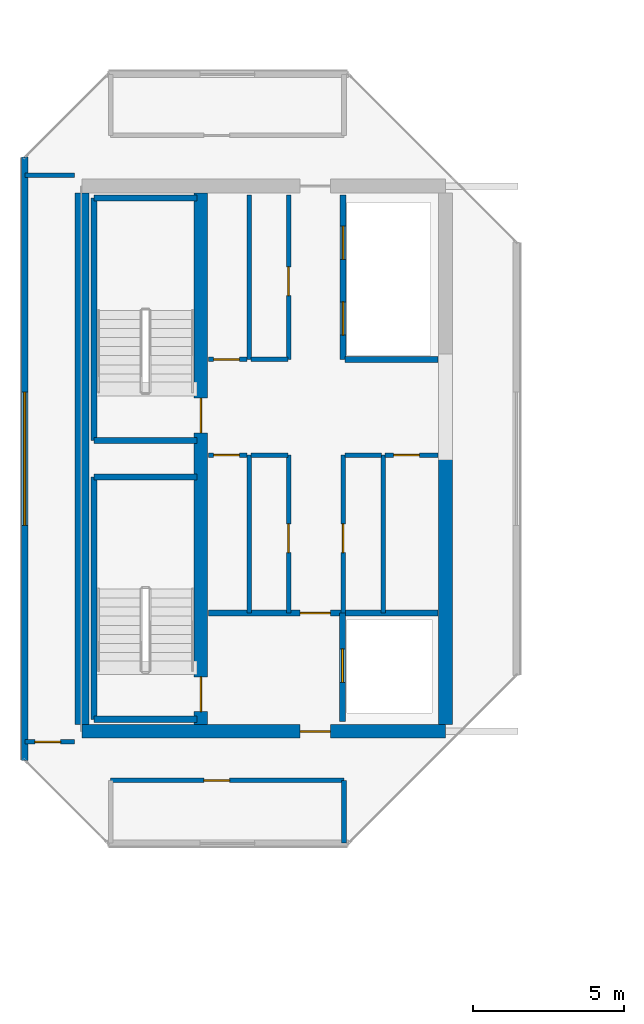
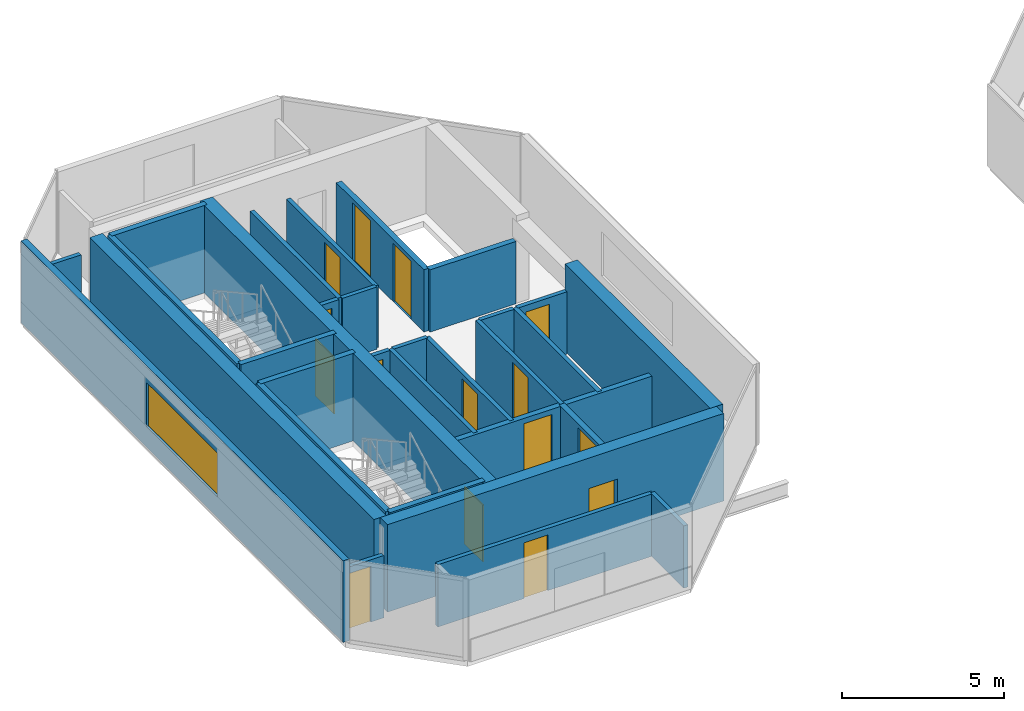
# One storey, part 21 of 29: 31 walls, 15 doors, 1 window, 16 openings.
"""IFC4 building model written with IfcOpenShell, lengths in metres."""

import ifcopenshell
import ifcopenshell.guid

model = None  # the IFC model being written
_history = None  # IfcOwnerHistory: only IFC2X3 demands one
_inside = {}  # id of a spatial element -> (the spatial element, [elements in it])
_under = {}  # id of a project, library or spatial element -> (it, [spatial elements below it])
_declared = {}  # id of a project -> (the project, [libraries it declares])
_typed = {}  # id of a type object -> (the type object, [elements of that type])
_made_of = {}  # id of a material, layer set ... -> (it, [elements and type objects made of it])


def new_model(schema):
    """Start an empty IFC model of exactly this schema.

    Asked for "IFC4X3", IfcOpenShell would pick the latest addendum, in which some entities
    have other attributes; the version numbers below select the first issue.
    IFC2X3 requires an IfcOwnerHistory on every rooted entity: one is made here for all.
    """
    global model, _history
    if schema == "IFC4X3":
        model = ifcopenshell.file(schema_version=(4, 3, 0, 0))
    else:
        model = ifcopenshell.file(schema=schema)
    _inside.clear()
    _under.clear()
    _declared.clear()
    _typed.clear()
    _made_of.clear()
    _history = None
    if model.schema == "IFC2X3":
        org = make("IfcOrganization", Name="unknown")
        user = make(
            "IfcPersonAndOrganization",
            ThePerson=make("IfcPerson", FamilyName="unknown"),
            TheOrganization=org,
        )
        app = make(
            "IfcApplication",
            ApplicationDeveloper=org,
            Version="unknown",
            ApplicationFullName="unknown",
            ApplicationIdentifier="unknown",
        )
        _history = make(
            "IfcOwnerHistory",
            OwningUser=user,
            OwningApplication=app,
            ChangeAction="ADDED",
            CreationDate=0,
        )
    return model


def make(cls, **values):
    """One entity of the class cls with the attributes given. An attribute that is None is left unset."""
    return model.create_entity(
        cls, **{name: value for name, value in values.items() if value is not None}
    )


def rooted(cls, **values):
    """An entity with a GlobalId (a new one), such as an element, a storey or a relation."""
    return make(cls, GlobalId=ifcopenshell.guid.new(), OwnerHistory=_history, **values)


def si_unit(unit_type, name, prefix=None):
    """IfcSIUnit, for example si_unit("LENGTHUNIT", "METRE", prefix="MILLI")."""
    return make("IfcSIUnit", UnitType=unit_type, Prefix=prefix, Name=name)


def assignment(units):
    """IfcUnitAssignment: the units of a project."""
    return None if units is None else make("IfcUnitAssignment", Units=units)


def point(xyz):
    """IfcCartesianPoint."""
    return None if xyz is None else make("IfcCartesianPoint", Coordinates=xyz)


def direction(xyz):
    """IfcDirection."""
    return None if xyz is None else make("IfcDirection", DirectionRatios=xyz)


def frame(location, z_axis=None, x_axis=None):
    """IfcAxis2Placement3D, a coordinate frame: its origin and axes. An axis left out is left unset."""
    return make(
        "IfcAxis2Placement3D",
        Location=point(location),
        Axis=direction(z_axis),
        RefDirection=direction(x_axis),
    )


def frame_2d(location, x_axis=None):
    """IfcAxis2Placement2D, a coordinate frame in the plane: its origin and x axis."""
    return make(
        "IfcAxis2Placement2D", Location=point(location), RefDirection=direction(x_axis)
    )


def origin():
    """The frame at (0, 0, 0) with its axes left unset."""
    return frame((0.0, 0.0, 0.0))


def place(relative_to, where):
    """IfcLocalPlacement: puts the frame where relative to a parent placement (None: the world)."""
    return make(
        "IfcLocalPlacement", PlacementRelTo=relative_to, RelativePlacement=where
    )


def context(
    kind, dimensions, precision=None, world=None, true_north=None, identifier=None
):
    """IfcGeometricRepresentationContext, for example the 3D "Model" context."""
    return make(
        "IfcGeometricRepresentationContext",
        ContextIdentifier=identifier,
        ContextType=kind,
        CoordinateSpaceDimension=dimensions,
        Precision=precision,
        WorldCoordinateSystem=world,
        TrueNorth=true_north,
    )


def subcontext(parent, identifier, kind, view, scale=None):
    """IfcGeometricRepresentationSubContext, for example "Body" below "Model"."""
    return make(
        "IfcGeometricRepresentationSubContext",
        ContextIdentifier=identifier,
        ContextType=kind,
        ParentContext=parent,
        TargetScale=scale,
        TargetView=view,
    )


def project(units=None, contexts=None):
    """IfcProject with its units and contexts."""
    return rooted(
        "IfcProject",
        Name="project",
        RepresentationContexts=contexts,
        UnitsInContext=assignment(units),
    )


def spatial(cls, under=None, at=None, **own):
    """A site, building, storey or space (cls), placed at a placement, below another one or the project."""
    s = rooted(cls, ObjectPlacement=at, **own)
    if under is not None:
        _under.setdefault(under.id(), (under, []))[1].append(s)
    return s


def profile(cls, at=None, kind="AREA", **sizes):
    """A parametric profile (cls). Its sizes go by their IFC names, for example OverallWidth=200.0."""
    return make(cls, ProfileType=kind, Position=at, **sizes)


def rectangle(**sizes):
    """IfcRectangleProfileDef."""
    return profile("IfcRectangleProfileDef", **sizes)


def extrude(swept, where, along, depth):
    """IfcExtrudedAreaSolid: the profile swept, set in the frame where, extruded along a direction by depth."""
    return make(
        "IfcExtrudedAreaSolid",
        SweptArea=swept,
        Position=where,
        ExtrudedDirection=direction(along),
        Depth=depth,
    )


def shape(context_of_items, identifier, shape_type, items):
    """IfcShapeRepresentation: the items that make up one representation, for example the "Body"."""
    return make(
        "IfcShapeRepresentation",
        ContextOfItems=context_of_items,
        RepresentationIdentifier=identifier,
        RepresentationType=shape_type,
        Items=items,
    )


def material(Name=None, Category=None):
    """IfcMaterial."""
    return make("IfcMaterial", Name=Name, Category=Category)


def layer(
    of_material, thickness, ventilated=None, Name=None, Category=None, Priority=None
):
    """IfcMaterialLayer: one layer of a wall or slab, of a material (None: an air gap)."""
    return make(
        "IfcMaterialLayer",
        Material=of_material,
        LayerThickness=thickness,
        IsVentilated=ventilated,
        Name=Name,
        Category=Category,
        Priority=Priority,
    )


def layer_set(layers, Name=None):
    """IfcMaterialLayerSet."""
    return make("IfcMaterialLayerSet", MaterialLayers=layers, LayerSetName=Name)


def made_of(thing, what):
    """Note that an element or type object is made of a material, layer set ...; save() writes the relation."""
    if what is not None:
        _made_of.setdefault(what.id(), (what, []))[1].append(thing)
    return thing


def type_object(cls, material=None, **own):
    """A type object (cls), such as IfcWallType, which elements share."""
    return made_of(rooted(cls, **own), material)


def element(
    cls,
    number,
    at=None,
    inside=None,
    cuts=None,
    type_object=None,
    material=None,
    context=None,
    identifier="Body",
    shape_type=None,
    held_by="IfcProductDefinitionShape",
    body=None,
    shapes=None,
    **own,
):
    """One element of the class cls, such as IfcWall. Its Tag is "e" and its number.

    at: its placement. inside: the storey or other place that contains it. cuts: it is an
    opening in that element (IfcRelVoidsElement). A single representation is given by context,
    identifier, shape_type and body (its items); several are given by shapes. held_by: the class
    of the entity that holds the representations. save() writes the other relations.
    """
    e = rooted(cls, Tag="e%d" % number, ObjectPlacement=at, **own)
    if body is not None:
        shapes = [shape(context, identifier, shape_type, body)]
    if shapes is not None:
        e.Representation = make(held_by, Representations=shapes)
    if inside is not None:
        _inside.setdefault(inside.id(), (inside, []))[1].append(e)
    if cuts is not None:
        rooted(
            "IfcRelVoidsElement", RelatingBuildingElement=cuts, RelatedOpeningElement=e
        )
    if type_object is not None:
        _typed.setdefault(type_object.id(), (type_object, []))[1].append(e)
    return made_of(e, material)


def fill(opening, filler):
    """IfcRelFillsElement: the door or window that sits in an opening."""
    return rooted(
        "IfcRelFillsElement",
        RelatingOpeningElement=opening,
        RelatedBuildingElement=filler,
    )


def aggregate(whole, parts):
    """IfcRelAggregates: a whole, such as a stair, and the parts it consists of."""
    return rooted("IfcRelAggregates", RelatingObject=whole, RelatedObjects=parts)


def save(model, path):
    """Write the relations noted so far, then the file.

    IfcRelAggregates (storeys below a building ...), IfcRelContainedInSpatialStructure (elements
    in a storey), IfcRelDefinesByType, IfcRelAssociatesMaterial and IfcRelDeclares: one each for
    every whole, place, type object, material and project.
    """
    for whole, parts in _under.values():
        aggregate(whole, parts)
    for where, things in _inside.values():
        rooted(
            "IfcRelContainedInSpatialStructure",
            RelatedElements=things,
            RelatingStructure=where,
        )
    for kind, things in _typed.values():
        rooted("IfcRelDefinesByType", RelatedObjects=things, RelatingType=kind)
    for what, things in _made_of.values():
        rooted("IfcRelAssociatesMaterial", RelatedObjects=things, RelatingMaterial=what)
    for by, libraries in _declared.values():
        rooted("IfcRelDeclares", RelatingContext=by, RelatedDefinitions=libraries)
    model.write(path)


model = new_model("IFC4")

# Units and contexts
model_context = context("Model", 3, precision=1e-05, world=origin(), true_north=direction((0.0, 1.0)))
body_context = subcontext(model_context, "Body", "Model", "MODEL_VIEW")
ifc_project = project(units=[si_unit("LENGTHUNIT", "METRE"), si_unit("AREAUNIT", "SQUARE_METRE"), si_unit("VOLUMEUNIT", "CUBIC_METRE"), si_unit("PLANEANGLEUNIT", "RADIAN"), si_unit("MASSUNIT", "GRAM", prefix="KILO")], contexts=[model_context])

# Site, building, storey
site_placement = place(None, origin())
site = spatial("IfcSite", under=ifc_project, at=site_placement, CompositionType="ELEMENT")
building_placement = place(site_placement, origin())
building = spatial("IfcBuilding", under=site, at=building_placement, Name="Tanjung Sevakor Pilgrim Tower", CompositionType="ELEMENT")
storey_placement = place(building_placement, frame((0.0, 0.0, 235.949951171875)))
storey = spatial("IfcBuildingStorey", under=building, at=storey_placement, Name="L66", CompositionType="ELEMENT", Elevation=235.949951171875)

# Wall, opening, door
ifc_material_1 = material(Name="Concrete C60/75", Category="concrete")
ifc_layer_1 = layer(ifc_material_1, 0.449951171875)
ifc_layer_set_1 = layer_set([ifc_layer_1], Name="WALL-CW-450")
wall_type_1 = type_object("IfcWallType", Name="WALL-CW-450", PredefinedType="SHEAR", material=ifc_layer_set_1)
wall_1_placement = place(storey_placement, frame((24.0, 24.60009765625, 0.0), z_axis=(0.0, 0.0, 1.0), x_axis=(1.0, 0.0, 0.0)))
wall_1 = element("IfcWall", 1, at=wall_1_placement, inside=storey, type_object=wall_type_1, Name="L66 W Core South Shear Wall", PredefinedType="SHEAR", context=body_context, shape_type="SweptSolid", body=[
    extrude(rectangle(XDim=12.0, YDim=0.449951171875, at=frame_2d((6.0, 0.0))), origin(), (0.0, 0.0, 1.0), 3.300048828125),
])
opening_1_placement = place(wall_1_placement, frame((7.199951171875, 0.0, 0.0)))
opening_1 = element("IfcOpeningElement", 2, at=opening_1_placement, cuts=wall_1, Name="Opening ID-FD1", PredefinedType="OPENING", context=body_context, shape_type="SweptSolid", body=[
    extrude(rectangle(XDim=1.0, YDim=2.14990234375, at=frame_2d((0.5, 1.074951171875))), frame((0.0, 0.23486328125, 0.0), z_axis=(0.0, -1.0, 0.0), x_axis=(1.0, 0.0, 0.0)), (0.0, 0.0, 1.0), 0.469970703125),
])
ifc_material_2 = material(Name="Fire-Rated Steel S355J2", Category="steel")
door_type_1 = type_object("IfcDoorType", Name="DT-FIRE-1000", OperationType="NOTDEFINED", PredefinedType="DOOR", material=ifc_material_2)
door_1_placement = place(opening_1_placement, origin())
door_1 = element("IfcDoor", 3, at=door_1_placement, inside=storey, type_object=door_type_1, Name="L66 West Core South Vestibule Fire Door", OperationType="SINGLE_SWING_LEFT", OverallHeight=2.14990234375, OverallWidth=1.0, PredefinedType="DOOR", context=body_context, shape_type="SweptSolid", body=[
    extrude(rectangle(XDim=1.0, YDim=2.14990234375, at=frame_2d((0.5, 1.074951171875))), frame((0.0, 0.02490234375, 0.0), z_axis=(0.0, -1.0, 0.0), x_axis=(1.0, 0.0, 0.0)), (0.0, 0.0, 1.0), 0.050048828125),
])
fill(opening_1, door_1)

# Walls
wall_2_placement = place(storey_placement, frame((24.0, 24.824951171875, 0.0), z_axis=(0.0, 0.0, 1.0), x_axis=(0.0, 1.0, 0.0)))
element("IfcWall", 4, at=wall_2_placement, inside=storey, type_object=wall_type_1, Name="L66 W Core Outer Shear Wall", PredefinedType="SHEAR", context=body_context, shape_type="SweptSolid", body=[
    extrude(rectangle(XDim=17.550048828125, YDim=0.449951171875, at=frame_2d((8.77490234375, 0.0))), origin(), (0.0, 0.0, 1.0), 3.300048828125),
])
wall_3_placement = place(storey_placement, frame((36.0, 24.824951171875, 0.0), z_axis=(0.0, 0.0, 1.0), x_axis=(0.0, 1.0, 0.0)))
element("IfcWall", 5, at=wall_3_placement, inside=storey, type_object=wall_type_1, Name="L66 W Core Inner Shear Wall South", PredefinedType="SHEAR", context=body_context, shape_type="SweptSolid", body=[
    extrude(rectangle(XDim=8.97509765625, YDim=0.449951171875, at=frame_2d((4.487548828125, 0.0))), origin(), (0.0, 0.0, 1.0), 3.300048828125),
])

# Wall, openings, doors
wall_4_placement = place(storey_placement, frame((27.925048828125, 24.824951171875, 0.0), z_axis=(0.0, 0.0, 1.0), x_axis=(0.0, 1.0, 0.0)))
wall_4 = element("IfcWall", 6, at=wall_4_placement, inside=storey, type_object=wall_type_1, Name="L66 W Core Stair Spine Wall", PredefinedType="SHEAR", context=body_context, shape_type="SweptSolid", body=[
    extrude(rectangle(XDim=17.550048828125, YDim=0.449951171875, at=frame_2d((8.77490234375, 0.0))), origin(), (0.0, 0.0, 1.0), 3.300048828125),
])
opening_2_placement = place(wall_4_placement, frame((0.425048828125, 0.0, 0.0)))
opening_2 = element("IfcOpeningElement", 7, at=opening_2_placement, cuts=wall_4, Name="Opening ID-ST1", PredefinedType="OPENING", context=body_context, shape_type="SweptSolid", body=[
    extrude(rectangle(XDim=1.14990234375, YDim=2.14990234375, at=frame_2d((0.574951171875, 1.074951171875))), frame((0.0, 0.23486328125, 0.0), z_axis=(0.0, -1.0, 0.0), x_axis=(1.0, 0.0, 0.0)), (0.0, 0.0, 1.0), 0.469970703125),
])
opening_3_placement = place(wall_4_placement, frame((9.625, 0.0, 0.0)))
opening_3 = element("IfcOpeningElement", 8, at=opening_3_placement, cuts=wall_4, Name="Opening ID-ST1", PredefinedType="OPENING", context=body_context, shape_type="SweptSolid", body=[
    extrude(rectangle(XDim=1.14990234375, YDim=2.14990234375, at=frame_2d((0.574951171875, 1.074951171875))), frame((0.0, 0.23486328125, 0.0), z_axis=(0.0, -1.0, 0.0), x_axis=(1.0, 0.0, 0.0)), (0.0, 0.0, 1.0), 0.469970703125),
])
ifc_material_3 = material(Name="Fire-Rated Steel S355J2", Category="steel")
door_type_2 = type_object("IfcDoorType", Name="DT-FIRE-1150", OperationType="NOTDEFINED", PredefinedType="DOOR", material=ifc_material_3)
door_2_placement = place(opening_2_placement, origin())
door_2 = element("IfcDoor", 9, at=door_2_placement, inside=storey, type_object=door_type_2, Name="L66 TS-W1 Stair Fire Door", OperationType="SINGLE_SWING_LEFT", OverallHeight=2.14990234375, OverallWidth=1.14990234375, PredefinedType="DOOR", context=body_context, shape_type="SweptSolid", body=[
    extrude(rectangle(XDim=1.14990234375, YDim=2.14990234375, at=frame_2d((0.574951171875, 1.074951171875))), frame((0.0, 0.02490234375, 0.0), z_axis=(0.0, -1.0, 0.0), x_axis=(1.0, 0.0, 0.0)), (0.0, 0.0, 1.0), 0.050048828125),
])
fill(opening_2, door_2)
door_3_placement = place(opening_3_placement, origin())
door_3 = element("IfcDoor", 10, at=door_3_placement, inside=storey, type_object=door_type_2, Name="L66 TS-W2 Stair Fire Door", OperationType="SINGLE_SWING_RIGHT", OverallHeight=2.14990234375, OverallWidth=1.14990234375, PredefinedType="DOOR", context=body_context, shape_type="SweptSolid", body=[
    extrude(rectangle(XDim=1.14990234375, YDim=2.14990234375, at=frame_2d((0.574951171875, 1.074951171875))), frame((0.0, 0.02490234375, 0.0), z_axis=(0.0, -1.0, 0.0), x_axis=(1.0, 0.0, 0.0)), (0.0, 0.0, 1.0), 0.050048828125),
])
fill(opening_3, door_3)

# Wall
ifc_material_4 = material(Name="Concrete C40/50", Category="concrete")
ifc_layer_2 = layer(ifc_material_4, 0.14990234375)
ifc_layer_set_2 = layer_set([ifc_layer_2], Name="WT-COMP-150")
wall_type_2 = type_object("IfcWallType", Name="WT-COMP-150", PredefinedType="SOLIDWALL", material=ifc_layer_set_2)
wall_5_placement = place(storey_placement, frame((29.52001953125, 28.5, 0.0), z_axis=(0.0, 0.0, 1.0), x_axis=(0.0, 1.0, 0.0)))
element("IfcWall", 11, at=wall_5_placement, inside=storey, type_object=wall_type_2, Name="L66 Partition IW-L66-003", PredefinedType="SOLIDWALL", context=body_context, shape_type="SweptSolid", body=[
    extrude(rectangle(XDim=5.219970703125, YDim=0.14990234375, at=frame_2d((2.60986328125, 0.0))), origin(), (0.0, 0.0, 1.0), 2.35009765625),
])

# Wall, opening, door
wall_6_placement = place(storey_placement, frame((28.169921875, 33.719970703125, 0.0), z_axis=(0.0, 0.0, 1.0), x_axis=(1.0, 0.0, 0.0)))
wall_6 = element("IfcWall", 12, at=wall_6_placement, inside=storey, type_object=wall_type_2, Name="L66 Partition IW-L66-004", PredefinedType="SOLIDWALL", context=body_context, shape_type="SweptSolid", body=[
    extrude(rectangle(XDim=1.280029296875, YDim=0.14990234375, at=frame_2d((0.64013671875, 0.0))), origin(), (0.0, 0.0, 1.0), 2.35009765625),
])
opening_4_placement = place(wall_6_placement, frame((0.179931640625, 0.0, 0.0)))
opening_4 = element("IfcOpeningElement", 13, at=opening_4_placement, cuts=wall_6, Name="Opening ID-FD3", PredefinedType="OPENING", context=body_context, shape_type="SweptSolid", body=[
    extrude(rectangle(XDim=0.85009765625, YDim=2.10009765625, at=frame_2d((0.425048828125, 1.050048828125))), frame((0.0, 0.0849609375, 0.0), z_axis=(0.0, -1.0, 0.0), x_axis=(1.0, 0.0, 0.0)), (0.0, 0.0, 1.0), 0.169921875),
])
ifc_material_5 = material(Name="Fire-Rated Timber", Category="wood")
door_type_3 = type_object("IfcDoorType", Name="DT-FIRE-850", OperationType="NOTDEFINED", PredefinedType="DOOR", material=ifc_material_5)
door_4_placement = place(opening_4_placement, origin())
door_4 = element("IfcDoor", 14, at=door_4_placement, inside=storey, type_object=door_type_3, Name="L66 Cleaner Store Door", OperationType="SINGLE_SWING_RIGHT", OverallHeight=2.10009765625, OverallWidth=0.85009765625, PredefinedType="DOOR", context=body_context, shape_type="SweptSolid", body=[
    extrude(rectangle(XDim=0.85009765625, YDim=2.10009765625, at=frame_2d((0.425048828125, 1.050048828125))), frame((0.0, 0.02490234375, 0.0), z_axis=(0.0, -1.0, 0.0), x_axis=(1.0, 0.0, 0.0)), (0.0, 0.0, 1.0), 0.050048828125),
])
fill(opening_4, door_4)

# Wall
wall_7_placement = place(storey_placement, frame((29.580078125, 33.719970703125, 0.0), z_axis=(0.0, 0.0, 1.0), x_axis=(1.0, 0.0, 0.0)))
element("IfcWall", 15, at=wall_7_placement, inside=storey, type_object=wall_type_2, Name="L66 Partition IW-L66-005", PredefinedType="SOLIDWALL", context=body_context, shape_type="SweptSolid", body=[
    extrude(rectangle(XDim=1.219970703125, YDim=0.14990234375, at=frame_2d((0.60986328125, 0.0))), origin(), (0.0, 0.0, 1.0), 2.35009765625),
])

# Wall, opening, door
wall_8_placement = place(storey_placement, frame((30.820068359375, 28.5, 0.0), z_axis=(0.0, 0.0, 1.0), x_axis=(0.0, 1.0, 0.0)))
wall_8 = element("IfcWall", 16, at=wall_8_placement, inside=storey, type_object=wall_type_2, Name="L66 Partition IW-L66-006", PredefinedType="SOLIDWALL", context=body_context, shape_type="SweptSolid", body=[
    extrude(rectangle(XDim=5.219970703125, YDim=0.14990234375, at=frame_2d((2.60986328125, 0.0))), origin(), (0.0, 0.0, 1.0), 2.35009765625),
])
opening_5_placement = place(wall_8_placement, frame((2.0, 0.0, 0.0)))
opening_5 = element("IfcOpeningElement", 17, at=opening_5_placement, cuts=wall_8, Name="Opening ID-FD2", PredefinedType="OPENING", context=body_context, shape_type="SweptSolid", body=[
    extrude(rectangle(XDim=0.949951171875, YDim=2.14990234375, at=frame_2d((0.47509765625, 1.074951171875))), frame((0.0, 0.0849609375, 0.0), z_axis=(0.0, -1.0, 0.0), x_axis=(1.0, 0.0, 0.0)), (0.0, 0.0, 1.0), 0.169921875),
])
ifc_material_6 = material(Name="Fire-Rated Timber", Category="wood")
door_type_4 = type_object("IfcDoorType", Name="DT-FIRE-950", OperationType="NOTDEFINED", PredefinedType="DOOR", material=ifc_material_6)
door_5_placement = place(opening_5_placement, origin())
door_5 = element("IfcDoor", 18, at=door_5_placement, inside=storey, type_object=door_type_4, Name="L66 Housekeeping Pantry Door", OperationType="SINGLE_SWING_LEFT", OverallHeight=2.14990234375, OverallWidth=0.949951171875, PredefinedType="DOOR", context=body_context, shape_type="SweptSolid", body=[
    extrude(rectangle(XDim=0.949951171875, YDim=2.14990234375, at=frame_2d((0.47509765625, 1.074951171875))), frame((0.0, 0.02490234375, 0.0), z_axis=(0.0, -1.0, 0.0), x_axis=(1.0, 0.0, 0.0)), (0.0, 0.0, 1.0), 0.050048828125),
])
fill(opening_5, door_5)

# Walls
wall_9_placement = place(storey_placement, frame((33.949951171875, 28.5, 0.0), z_axis=(0.0, 0.0, 1.0), x_axis=(0.0, 1.0, 0.0)))
element("IfcWall", 19, at=wall_9_placement, inside=storey, type_object=wall_type_2, Name="L66 Partition IW-L66-007", PredefinedType="SOLIDWALL", context=body_context, shape_type="SweptSolid", body=[
    extrude(rectangle(XDim=5.219970703125, YDim=0.14990234375, at=frame_2d((2.60986328125, 0.0))), origin(), (0.0, 0.0, 1.0), 2.35009765625),
])
wall_10_placement = place(storey_placement, frame((32.679931640625, 33.719970703125, 0.0), z_axis=(0.0, 0.0, 1.0), x_axis=(1.0, 0.0, 0.0)))
element("IfcWall", 20, at=wall_10_placement, inside=storey, type_object=wall_type_2, Name="L66 Partition IW-L66-008", PredefinedType="SOLIDWALL", context=body_context, shape_type="SweptSolid", body=[
    extrude(rectangle(XDim=1.2099609375, YDim=0.14990234375, at=frame_2d((0.60498046875, 0.0))), origin(), (0.0, 0.0, 1.0), 2.35009765625),
])

# Wall, opening, door
wall_11_placement = place(storey_placement, frame((34.010009765625, 33.719970703125, 0.0), z_axis=(0.0, 0.0, 1.0), x_axis=(1.0, 0.0, 0.0)))
wall_11 = element("IfcWall", 21, at=wall_11_placement, inside=storey, type_object=wall_type_2, Name="L66 Partition IW-L66-009", PredefinedType="SOLIDWALL", context=body_context, shape_type="SweptSolid", body=[
    extrude(rectangle(XDim=1.744873046875, YDim=0.14990234375, at=frame_2d((0.87255859375, 0.0))), origin(), (0.0, 0.0, 1.0), 2.35009765625),
])
opening_6_placement = place(wall_11_placement, frame((0.280029296875, 0.0, 0.0)))
opening_6 = element("IfcOpeningElement", 22, at=opening_6_placement, cuts=wall_11, Name="Opening ID-FD3", PredefinedType="OPENING", context=body_context, shape_type="SweptSolid", body=[
    extrude(rectangle(XDim=0.85009765625, YDim=2.10009765625, at=frame_2d((0.425048828125, 1.050048828125))), frame((0.0, 0.0849609375, 0.0), z_axis=(0.0, -1.0, 0.0), x_axis=(1.0, 0.0, 0.0)), (0.0, 0.0, 1.0), 0.169921875),
])
door_6_placement = place(opening_6_placement, origin())
door_6 = element("IfcDoor", 23, at=door_6_placement, inside=storey, type_object=door_type_3, Name="L66 Service Store Door", OperationType="SINGLE_SWING_RIGHT", OverallHeight=2.10009765625, OverallWidth=0.85009765625, PredefinedType="DOOR", context=body_context, shape_type="SweptSolid", body=[
    extrude(rectangle(XDim=0.85009765625, YDim=2.10009765625, at=frame_2d((0.425048828125, 1.050048828125))), frame((0.0, 0.02490234375, 0.0), z_axis=(0.0, -1.0, 0.0), x_axis=(1.0, 0.0, 0.0)), (0.0, 0.0, 1.0), 0.050048828125),
])
fill(opening_6, door_6)

wall_12_placement = place(storey_placement, frame((32.6201171875, 28.5, 0.0), z_axis=(0.0, 0.0, 1.0), x_axis=(0.0, 1.0, 0.0)))
wall_12 = element("IfcWall", 24, at=wall_12_placement, inside=storey, type_object=wall_type_2, Name="L66 Partition IW-L66-010", PredefinedType="SOLIDWALL", context=body_context, shape_type="SweptSolid", body=[
    extrude(rectangle(XDim=5.219970703125, YDim=0.14990234375, at=frame_2d((2.60986328125, 0.0))), origin(), (0.0, 0.0, 1.0), 2.35009765625),
])
opening_7_placement = place(wall_12_placement, frame((2.0, 0.0, 0.0)))
opening_7 = element("IfcOpeningElement", 25, at=opening_7_placement, cuts=wall_12, Name="Opening ID-FD2", PredefinedType="OPENING", context=body_context, shape_type="SweptSolid", body=[
    extrude(rectangle(XDim=0.949951171875, YDim=2.14990234375, at=frame_2d((0.47509765625, 1.074951171875))), frame((0.0, 0.0849609375, 0.0), z_axis=(0.0, -1.0, 0.0), x_axis=(1.0, 0.0, 0.0)), (0.0, 0.0, 1.0), 0.169921875),
])
door_7_placement = place(opening_7_placement, origin())
door_7 = element("IfcDoor", 26, at=door_7_placement, inside=storey, type_object=door_type_4, Name="L66 Accessible WC Door", OperationType="SINGLE_SWING_LEFT", OverallHeight=2.14990234375, OverallWidth=0.949951171875, PredefinedType="DOOR", context=body_context, shape_type="SweptSolid", body=[
    extrude(rectangle(XDim=0.949951171875, YDim=2.14990234375, at=frame_2d((0.47509765625, 1.074951171875))), frame((0.0, 0.02490234375, 0.0), z_axis=(0.0, -1.0, 0.0), x_axis=(1.0, 0.0, 0.0)), (0.0, 0.0, 1.0), 0.050048828125),
])
fill(opening_7, door_7)

# Wall
wall_13_placement = place(storey_placement, frame((29.52001953125, 36.8798828125, 0.0), z_axis=(0.0, 0.0, 1.0), x_axis=(0.0, 1.0, 0.0)))
element("IfcWall", 27, at=wall_13_placement, inside=storey, type_object=wall_type_2, Name="L66 Partition IW-L66-011", PredefinedType="SOLIDWALL", context=body_context, shape_type="SweptSolid", body=[
    extrude(rectangle(XDim=5.420166015625, YDim=0.14990234375, at=frame_2d((2.7099609375, 0.0))), origin(), (0.0, 0.0, 1.0), 2.35009765625),
])

# Wall, opening, door
wall_14_placement = place(storey_placement, frame((28.169921875, 36.8798828125, 0.0), z_axis=(0.0, 0.0, 1.0), x_axis=(1.0, 0.0, 0.0)))
wall_14 = element("IfcWall", 28, at=wall_14_placement, inside=storey, type_object=wall_type_2, Name="L66 Partition IW-L66-012", PredefinedType="SOLIDWALL", context=body_context, shape_type="SweptSolid", body=[
    extrude(rectangle(XDim=1.280029296875, YDim=0.14990234375, at=frame_2d((0.64013671875, 0.0))), origin(), (0.0, 0.0, 1.0), 2.35009765625),
])
opening_8_placement = place(wall_14_placement, frame((0.179931640625, 0.0, 0.0)))
opening_8 = element("IfcOpeningElement", 29, at=opening_8_placement, cuts=wall_14, Name="Opening ID-FD3", PredefinedType="OPENING", context=body_context, shape_type="SweptSolid", body=[
    extrude(rectangle(XDim=0.85009765625, YDim=2.10009765625, at=frame_2d((0.425048828125, 1.050048828125))), frame((0.0, 0.0849609375, 0.0), z_axis=(0.0, -1.0, 0.0), x_axis=(1.0, 0.0, 0.0)), (0.0, 0.0, 1.0), 0.169921875),
])
door_8_placement = place(opening_8_placement, origin())
door_8 = element("IfcDoor", 30, at=door_8_placement, inside=storey, type_object=door_type_3, Name="L66 Service Store Door", OperationType="SINGLE_SWING_RIGHT", OverallHeight=2.10009765625, OverallWidth=0.85009765625, PredefinedType="DOOR", context=body_context, shape_type="SweptSolid", body=[
    extrude(rectangle(XDim=0.85009765625, YDim=2.10009765625, at=frame_2d((0.425048828125, 1.050048828125))), frame((0.0, 0.02490234375, 0.0), z_axis=(0.0, -1.0, 0.0), x_axis=(1.0, 0.0, 0.0)), (0.0, 0.0, 1.0), 0.050048828125),
])
fill(opening_8, door_8)

# Wall
wall_15_placement = place(storey_placement, frame((29.580078125, 36.8798828125, 0.0), z_axis=(0.0, 0.0, 1.0), x_axis=(1.0, 0.0, 0.0)))
element("IfcWall", 31, at=wall_15_placement, inside=storey, type_object=wall_type_2, Name="L66 Partition IW-L66-013", PredefinedType="SOLIDWALL", context=body_context, shape_type="SweptSolid", body=[
    extrude(rectangle(XDim=1.219970703125, YDim=0.14990234375, at=frame_2d((0.60986328125, 0.0))), origin(), (0.0, 0.0, 1.0), 2.35009765625),
])

# Wall, opening, door
wall_16_placement = place(storey_placement, frame((30.820068359375, 36.8798828125, 0.0), z_axis=(0.0, 0.0, 1.0), x_axis=(0.0, 1.0, 0.0)))
wall_16 = element("IfcWall", 32, at=wall_16_placement, inside=storey, type_object=wall_type_2, Name="L66 Partition IW-L66-014", PredefinedType="SOLIDWALL", context=body_context, shape_type="SweptSolid", body=[
    extrude(rectangle(XDim=5.420166015625, YDim=0.14990234375, at=frame_2d((2.7099609375, 0.0))), origin(), (0.0, 0.0, 1.0), 2.35009765625),
])
opening_9_placement = place(wall_16_placement, frame((2.10009765625, 0.0, 0.0)))
opening_9 = element("IfcOpeningElement", 33, at=opening_9_placement, cuts=wall_16, Name="Opening ID-FD2", PredefinedType="OPENING", context=body_context, shape_type="SweptSolid", body=[
    extrude(rectangle(XDim=0.949951171875, YDim=2.14990234375, at=frame_2d((0.47509765625, 1.074951171875))), frame((0.0, 0.0849609375, 0.0), z_axis=(0.0, -1.0, 0.0), x_axis=(1.0, 0.0, 0.0)), (0.0, 0.0, 1.0), 0.169921875),
])
door_9_placement = place(opening_9_placement, origin())
door_9 = element("IfcDoor", 34, at=door_9_placement, inside=storey, type_object=door_type_4, Name="L66 Core Reading Room Door", OperationType="SINGLE_SWING_LEFT", OverallHeight=2.14990234375, OverallWidth=0.949951171875, PredefinedType="DOOR", context=body_context, shape_type="SweptSolid", body=[
    extrude(rectangle(XDim=0.949951171875, YDim=2.14990234375, at=frame_2d((0.47509765625, 1.074951171875))), frame((0.0, 0.02490234375, 0.0), z_axis=(0.0, -1.0, 0.0), x_axis=(1.0, 0.0, 0.0)), (0.0, 0.0, 1.0), 0.050048828125),
])
fill(opening_9, door_9)

wall_17_placement = place(storey_placement, frame((24.949951171875, 22.97998046875, 0.0), z_axis=(0.0, 0.0, 1.0), x_axis=(1.0, 0.0, 0.0)))
wall_17 = element("IfcWall", 35, at=wall_17_placement, inside=storey, type_object=wall_type_2, Name="L66 Partition IW-L66-033", PredefinedType="SOLIDWALL", context=body_context, shape_type="SweptSolid", body=[
    extrude(rectangle(XDim=7.699951171875, YDim=0.14990234375, at=frame_2d((3.85009765625, 0.0))), origin(), (0.0, 0.0, 1.0), 2.35009765625),
])
opening_10_placement = place(wall_17_placement, frame((3.074951171875, 0.0, 0.0)))
opening_10 = element("IfcOpeningElement", 36, at=opening_10_placement, cuts=wall_17, Name="Opening ID-WC1", PredefinedType="OPENING", context=body_context, shape_type="SweptSolid", body=[
    extrude(rectangle(XDim=0.85009765625, YDim=2.10009765625, at=frame_2d((0.425048828125, 1.050048828125))), frame((0.0, 0.0849609375, 0.0), z_axis=(0.0, -1.0, 0.0), x_axis=(1.0, 0.0, 0.0)), (0.0, 0.0, 1.0), 0.169921875),
])
ifc_material_7 = material(Name="Moisture-Resistant Timber", Category="wood")
door_type_5 = type_object("IfcDoorType", Name="DT-INT-850", OperationType="NOTDEFINED", PredefinedType="DOOR", material=ifc_material_7)
door_10_placement = place(opening_10_placement, origin())
door_10 = element("IfcDoor", 37, at=door_10_placement, inside=storey, type_object=door_type_5, Name="L66 West Peak Meditation Door", OperationType="SINGLE_SWING_RIGHT", OverallHeight=2.10009765625, OverallWidth=0.85009765625, PredefinedType="DOOR", context=body_context, shape_type="SweptSolid", body=[
    extrude(rectangle(XDim=0.85009765625, YDim=2.10009765625, at=frame_2d((0.425048828125, 1.050048828125))), frame((0.0, 0.02490234375, 0.0), z_axis=(0.0, -1.0, 0.0), x_axis=(1.0, 0.0, 0.0)), (0.0, 0.0, 1.0), 0.050048828125),
])
fill(opening_10, door_10)

# Wall
wall_18_placement = place(storey_placement, frame((32.64990234375, 20.919921875, 0.0), z_axis=(0.0, 0.0, 1.0), x_axis=(0.0, 1.0, 0.0)))
element("IfcWall", 38, at=wall_18_placement, inside=storey, type_object=wall_type_2, Name="L66 Partition IW-L66-035", PredefinedType="SOLIDWALL", context=body_context, shape_type="SweptSolid", body=[
    extrude(rectangle(XDim=2.06005859375, YDim=0.14990234375, at=frame_2d((1.030029296875, 0.0))), origin(), (0.0, 0.0, 1.0), 2.35009765625),
])

# Wall, opening, door
wall_19_placement = place(storey_placement, frame((22.1201171875, 24.25, 0.0), z_axis=(0.0, 0.0, 1.0), x_axis=(1.0, 0.0, 0.0)))
wall_19 = element("IfcWall", 39, at=wall_19_placement, inside=storey, type_object=wall_type_2, Name="L66 Partition IW-L66-036", PredefinedType="SOLIDWALL", context=body_context, shape_type="SweptSolid", body=[
    extrude(rectangle(XDim=1.639892578125, YDim=0.14990234375, at=frame_2d((0.81982421875, 0.0))), origin(), (0.0, 0.0, 1.0), 2.35009765625),
])
opening_11_placement = place(wall_19_placement, frame((0.324951171875, 0.0, 0.0)))
opening_11 = element("IfcOpeningElement", 40, at=opening_11_placement, cuts=wall_19, Name="Opening ID-WC1", PredefinedType="OPENING", context=body_context, shape_type="SweptSolid", body=[
    extrude(rectangle(XDim=0.85009765625, YDim=2.10009765625, at=frame_2d((0.425048828125, 1.050048828125))), frame((0.0, 0.0849609375, 0.0), z_axis=(0.0, -1.0, 0.0), x_axis=(1.0, 0.0, 0.0)), (0.0, 0.0, 1.0), 0.169921875),
])
door_11_placement = place(opening_11_placement, origin())
door_11 = element("IfcDoor", 41, at=door_11_placement, inside=storey, type_object=door_type_5, Name="L66 West Peak Sky Lounge Door", OperationType="SINGLE_SWING_LEFT", OverallHeight=2.10009765625, OverallWidth=0.85009765625, PredefinedType="DOOR", context=body_context, shape_type="SweptSolid", body=[
    extrude(rectangle(XDim=0.85009765625, YDim=2.10009765625, at=frame_2d((0.425048828125, 1.050048828125))), frame((0.0, 0.02490234375, 0.0), z_axis=(0.0, -1.0, 0.0), x_axis=(1.0, 0.0, 0.0)), (0.0, 0.0, 1.0), 0.050048828125),
])
fill(opening_11, door_11)

# Wall
wall_20_placement = place(storey_placement, frame((22.1201171875, 42.949951171875, 0.0), z_axis=(0.0, 0.0, 1.0), x_axis=(1.0, 0.0, 0.0)))
element("IfcWall", 42, at=wall_20_placement, inside=storey, type_object=wall_type_2, Name="L66 Partition IW-L66-037", PredefinedType="SOLIDWALL", context=body_context, shape_type="SweptSolid", body=[
    extrude(rectangle(XDim=1.639892578125, YDim=0.14990234375, at=frame_2d((0.81982421875, 0.0))), origin(), (0.0, 0.0, 1.0), 2.35009765625),
])

# Wall, opening, window
ifc_material_8 = material(Name="Precast concrete C45/55", Category="concrete")
ifc_layer_3 = layer(ifc_material_8, 0.219970703125)
ifc_layer_set_3 = layer_set([ifc_layer_3], Name="WT-EW-STN4")
wall_type_3 = type_object("IfcWallType", Name="WT-EW-STN4", PredefinedType="SOLIDWALL", material=ifc_layer_set_3)
wall_21_placement = place(storey_placement, frame((22.110107421875, 43.554443359375, 0.0), z_axis=(0.0, 0.0, 1.0), x_axis=(0.0, -1.0, 0.0)))
wall_21 = element("IfcWall", 43, at=wall_21_placement, inside=storey, type_object=wall_type_3, Name="L66 WEST Exterior Wall 7", PredefinedType="SOLIDWALL", context=body_context, shape_type="SweptSolid", body=[
    extrude(rectangle(XDim=19.908935546875, YDim=0.219970703125, at=frame_2d((9.95458984375, 0.0))), origin(), (0.0, 0.0, 1.0), 3.080078125),
])
opening_12_placement = place(wall_21_placement, frame((7.75439453125, 0.0, 0.780029296875)))
opening_12 = element("IfcOpeningElement", 44, at=opening_12_placement, cuts=wall_21, Name="Opening WN-ENDW-1660", PredefinedType="OPENING", context=body_context, shape_type="SweptSolid", body=[
    extrude(rectangle(XDim=4.39990234375, YDim=1.659912109375, at=frame_2d((2.199951171875, 0.830078125))), frame((0.0, 0.119873046875, 0.0), z_axis=(0.0, -1.0, 0.0), x_axis=(1.0, 0.0, 0.0)), (0.0, 0.0, 1.0), 0.239990234375),
])
ifc_material_9 = material(Name="Thermally Broken Aluminium and Low-E Glass", Category="aluminium")
window_type = type_object("IfcWindowType", Name="WTYP-WN-ENDW-1660", PartitioningType="DOUBLE_PANEL_VERTICAL", PredefinedType="WINDOW", material=ifc_material_9)
window_placement = place(opening_12_placement, origin())
window = element("IfcWindow", 45, at=window_placement, inside=storey, type_object=window_type, Name="L66 Facade Window 01", OverallHeight=1.659912109375, OverallWidth=4.39990234375, PartitioningType="SINGLE_PANEL", PredefinedType="WINDOW", context=body_context, shape_type="SweptSolid", body=[
    extrude(rectangle(XDim=4.39990234375, YDim=1.659912109375, at=frame_2d((2.199951171875, 0.830078125))), frame((0.0, 0.030029296875, 0.0), z_axis=(0.0, -1.0, 0.0), x_axis=(1.0, 0.0, 0.0)), (0.0, 0.0, 1.0), 0.06005859375),
])
fill(opening_12, window)

# Walls
ifc_material_10 = material(Name="Concrete C40/50", Category="concrete")
ifc_layer_4 = layer(ifc_material_10, 0.199951171875)
ifc_layer_set_4 = layer_set([ifc_layer_4], Name="WT-FIRE-200")
wall_type_4 = type_object("IfcWallType", Name="WT-FIRE-200", PredefinedType="SOLIDWALL", material=ifc_layer_set_4)
for number, where, z_axis, x_axis, name in (
    (46, (24.39990234375, 25.0, 0.0), (0.0, 0.0, 1.0), (1.0, 0.0, 0.0), "L66 TS-W1 Shaft Wall 1"),
    (47, (27.800048828125, 33.0, 0.0), (0.0, 0.0, 1.0), (-1.0, 0.0, 0.0), "L66 TS-W1 Shaft Wall 2"),
):
    element("IfcWall", number, at=place(storey_placement, frame(where, z_axis=z_axis, x_axis=x_axis)), inside=storey, type_object=wall_type_4, Name=name, PredefinedType="SOLIDWALL", context=body_context, shape_type="SweptSolid", body=[
        extrude(rectangle(XDim=3.400146484375, YDim=0.199951171875, at=frame_2d((1.7001953125, 0.0))), origin(), (0.0, 0.0, 1.0), 3.300048828125),
    ])
wall_22_placement = place(storey_placement, frame((24.39990234375, 33.0, 0.0), z_axis=(0.0, 0.0, 1.0), x_axis=(0.0, -1.0, 0.0)))
element("IfcWall", 48, at=wall_22_placement, inside=storey, type_object=wall_type_4, Name="L66 TS-W1 Shaft Wall 3", PredefinedType="SOLIDWALL", context=body_context, shape_type="SweptSolid", body=[
    extrude(rectangle(XDim=8.0, YDim=0.199951171875, at=frame_2d((4.0, 0.0))), origin(), (0.0, 0.0, 1.0), 3.300048828125),
])
for number, where, z_axis, x_axis, name in (
    (49, (24.39990234375, 34.199951171875, 0.0), (0.0, 0.0, 1.0), (1.0, 0.0, 0.0), "L66 TS-W2 Shaft Wall 1"),
    (50, (27.800048828125, 42.199951171875, 0.0), (0.0, 0.0, 1.0), (-1.0, 0.0, 0.0), "L66 TS-W2 Shaft Wall 2"),
):
    element("IfcWall", number, at=place(storey_placement, frame(where, z_axis=z_axis, x_axis=x_axis)), inside=storey, type_object=wall_type_4, Name=name, PredefinedType="SOLIDWALL", context=body_context, shape_type="SweptSolid", body=[
        extrude(rectangle(XDim=3.400146484375, YDim=0.199951171875, at=frame_2d((1.7001953125, 0.0))), origin(), (0.0, 0.0, 1.0), 3.300048828125),
    ])
wall_23_placement = place(storey_placement, frame((24.39990234375, 42.199951171875, 0.0), z_axis=(0.0, 0.0, 1.0), x_axis=(0.0, -1.0, 0.0)))
element("IfcWall", 51, at=wall_23_placement, inside=storey, type_object=wall_type_4, Name="L66 TS-W2 Shaft Wall 3", PredefinedType="SOLIDWALL", context=body_context, shape_type="SweptSolid", body=[
    extrude(rectangle(XDim=8.0, YDim=0.199951171875, at=frame_2d((4.0, 0.0))), origin(), (0.0, 0.0, 1.0), 3.300048828125),
])

# Wall, opening, door
ifc_material_11 = material(Name="Concrete C40/50", Category="concrete")
ifc_layer_5 = layer(ifc_material_11, 0.199951171875)
ifc_layer_set_5 = layer_set([ifc_layer_5], Name="WT-FPRT-200")
wall_type_5 = type_object("IfcWallType", Name="WT-FPRT-200", PredefinedType="SOLIDWALL", material=ifc_layer_set_5)
wall_24_placement = place(storey_placement, frame((32.60009765625, 24.919921875, 0.0), z_axis=(0.0, 0.0, 1.0), x_axis=(0.0, 1.0, 0.0)))
wall_24 = element("IfcWall", 52, at=wall_24_placement, inside=storey, type_object=wall_type_5, Name="L66 Partition IW-L66-001", PredefinedType="SOLIDWALL", context=body_context, shape_type="SweptSolid", body=[
    extrude(rectangle(XDim=3.580078125, YDim=0.199951171875, at=frame_2d((1.7900390625, 0.0))), origin(), (0.0, 0.0, 1.0), 2.35009765625),
])
opening_13_placement = place(wall_24_placement, frame((1.300048828125, 0.0, 0.0)))
opening_13 = element("IfcOpeningElement", 53, at=opening_13_placement, cuts=wall_24, Name="Opening LD-1100", PredefinedType="OPENING", context=body_context, shape_type="SweptSolid", body=[
    extrude(rectangle(XDim=1.10009765625, YDim=2.199951171875, at=frame_2d((0.550048828125, 1.10009765625))), frame((0.0, 0.10986328125, 0.0), z_axis=(0.0, -1.0, 0.0), x_axis=(1.0, 0.0, 0.0)), (0.0, 0.0, 1.0), 0.219970703125),
])
ifc_material_12 = material(Name="Brushed Stainless Steel S355J2", Category="steel")
door_type_6 = type_object("IfcDoorType", Name="DT-LIFT-1100", OperationType="SLIDING_TO_LEFT", PredefinedType="DOOR", material=ifc_material_12)
door_12_placement = place(opening_13_placement, origin())
door_12 = element("IfcDoor", 54, at=door_12_placement, inside=storey, type_object=door_type_6, Name="LD-FL-W", OperationType="SLIDING_TO_LEFT", OverallHeight=2.199951171875, OverallWidth=1.10009765625, PredefinedType="DOOR", context=body_context, shape_type="SweptSolid", body=[
    extrude(rectangle(XDim=1.10009765625, YDim=2.199951171875, at=frame_2d((0.550048828125, 1.10009765625))), frame((0.0, 0.02490234375, 0.0), z_axis=(0.0, -1.0, 0.0), x_axis=(1.0, 0.0, 0.0)), (0.0, 0.0, 1.0), 0.050048828125),
])
fill(opening_13, door_12)

wall_25_placement = place(storey_placement, frame((28.169921875, 28.5, 0.0), z_axis=(0.0, 0.0, 1.0), x_axis=(1.0, 0.0, 0.0)))
wall_25 = element("IfcWall", 55, at=wall_25_placement, inside=storey, type_object=wall_type_5, Name="L66 Partition IW-L66-002", PredefinedType="SOLIDWALL", context=body_context, shape_type="SweptSolid", body=[
    extrude(rectangle(XDim=7.5849609375, YDim=0.199951171875, at=frame_2d((3.79248046875, 0.0))), origin(), (0.0, 0.0, 1.0), 2.35009765625),
])
opening_14_placement = place(wall_25_placement, frame((3.030029296875, 0.0, 0.0)))
opening_14 = element("IfcOpeningElement", 56, at=opening_14_placement, cuts=wall_25, Name="Opening ID-FD1", PredefinedType="OPENING", context=body_context, shape_type="SweptSolid", body=[
    extrude(rectangle(XDim=1.0, YDim=2.14990234375, at=frame_2d((0.5, 1.074951171875))), frame((0.0, 0.10986328125, 0.0), z_axis=(0.0, -1.0, 0.0), x_axis=(1.0, 0.0, 0.0)), (0.0, 0.0, 1.0), 0.219970703125),
])
door_13_placement = place(opening_14_placement, origin())
door_13 = element("IfcDoor", 57, at=door_13_placement, inside=storey, type_object=door_type_1, Name="Fire Lobby Door W", OperationType="SINGLE_SWING_LEFT", OverallHeight=2.14990234375, OverallWidth=1.0, PredefinedType="DOOR", context=body_context, shape_type="SweptSolid", body=[
    extrude(rectangle(XDim=1.0, YDim=2.14990234375, at=frame_2d((0.5, 1.074951171875))), frame((0.0, 0.02490234375, 0.0), z_axis=(0.0, -1.0, 0.0), x_axis=(1.0, 0.0, 0.0)), (0.0, 0.0, 1.0), 0.050048828125),
])
fill(opening_14, door_13)

# Wall
wall_26_placement = place(storey_placement, frame((32.679931640625, 36.8798828125, 0.0), z_axis=(0.0, 0.0, 1.0), x_axis=(1.0, 0.0, 0.0)))
element("IfcWall", 58, at=wall_26_placement, inside=storey, type_object=wall_type_5, Name="L66 Partition IW-L66-015", PredefinedType="SOLIDWALL", context=body_context, shape_type="SweptSolid", body=[
    extrude(rectangle(XDim=3.074951171875, YDim=0.199951171875, at=frame_2d((1.53759765625, 0.0))), origin(), (0.0, 0.0, 1.0), 2.35009765625),
])

# Wall, openings, doors
wall_27_placement = place(storey_placement, frame((32.6201171875, 36.8798828125, 0.0), z_axis=(0.0, 0.0, 1.0), x_axis=(0.0, 1.0, 0.0)))
wall_27 = element("IfcWall", 59, at=wall_27_placement, inside=storey, type_object=wall_type_5, Name="L66 Partition IW-L66-016", PredefinedType="SOLIDWALL", context=body_context, shape_type="SweptSolid", body=[
    extrude(rectangle(XDim=5.420166015625, YDim=0.199951171875, at=frame_2d((2.7099609375, 0.0))), origin(), (0.0, 0.0, 1.0), 2.35009765625),
])
opening_15_placement = place(wall_27_placement, frame((0.800048828125, 0.0, 0.0)))
opening_15 = element("IfcOpeningElement", 60, at=opening_15_placement, cuts=wall_27, Name="Opening LD-1100", PredefinedType="OPENING", context=body_context, shape_type="SweptSolid", body=[
    extrude(rectangle(XDim=1.10009765625, YDim=2.199951171875, at=frame_2d((0.550048828125, 1.10009765625))), frame((0.0, 0.10986328125, 0.0), z_axis=(0.0, -1.0, 0.0), x_axis=(1.0, 0.0, 0.0)), (0.0, 0.0, 1.0), 0.219970703125),
])
opening_16_placement = place(wall_27_placement, frame((3.300048828125, 0.0, 0.0)))
opening_16 = element("IfcOpeningElement", 61, at=opening_16_placement, cuts=wall_27, Name="Opening LD-1100", PredefinedType="OPENING", context=body_context, shape_type="SweptSolid", body=[
    extrude(rectangle(XDim=1.10009765625, YDim=2.199951171875, at=frame_2d((0.550048828125, 1.10009765625))), frame((0.0, 0.10986328125, 0.0), z_axis=(0.0, -1.0, 0.0), x_axis=(1.0, 0.0, 0.0)), (0.0, 0.0, 1.0), 0.219970703125),
])
door_14_placement = place(opening_15_placement, origin())
door_14 = element("IfcDoor", 62, at=door_14_placement, inside=storey, type_object=door_type_6, Name="LD-PLH1-W", OperationType="SLIDING_TO_LEFT", OverallHeight=2.199951171875, OverallWidth=1.10009765625, PredefinedType="DOOR", context=body_context, shape_type="SweptSolid", body=[
    extrude(rectangle(XDim=1.10009765625, YDim=2.199951171875, at=frame_2d((0.550048828125, 1.10009765625))), frame((0.0, 0.02490234375, 0.0), z_axis=(0.0, -1.0, 0.0), x_axis=(1.0, 0.0, 0.0)), (0.0, 0.0, 1.0), 0.050048828125),
])
fill(opening_15, door_14)
door_15_placement = place(opening_16_placement, origin())
door_15 = element("IfcDoor", 63, at=door_15_placement, inside=storey, type_object=door_type_6, Name="LD-PLH2-W", OperationType="SLIDING_TO_RIGHT", OverallHeight=2.199951171875, OverallWidth=1.10009765625, PredefinedType="DOOR", context=body_context, shape_type="SweptSolid", body=[
    extrude(rectangle(XDim=1.10009765625, YDim=2.199951171875, at=frame_2d((0.550048828125, 1.10009765625))), frame((0.0, 0.02490234375, 0.0), z_axis=(0.0, -1.0, 0.0), x_axis=(1.0, 0.0, 0.0)), (0.0, 0.0, 1.0), 0.050048828125),
])
fill(opening_16, door_15)

save(model, "model.ifc")
